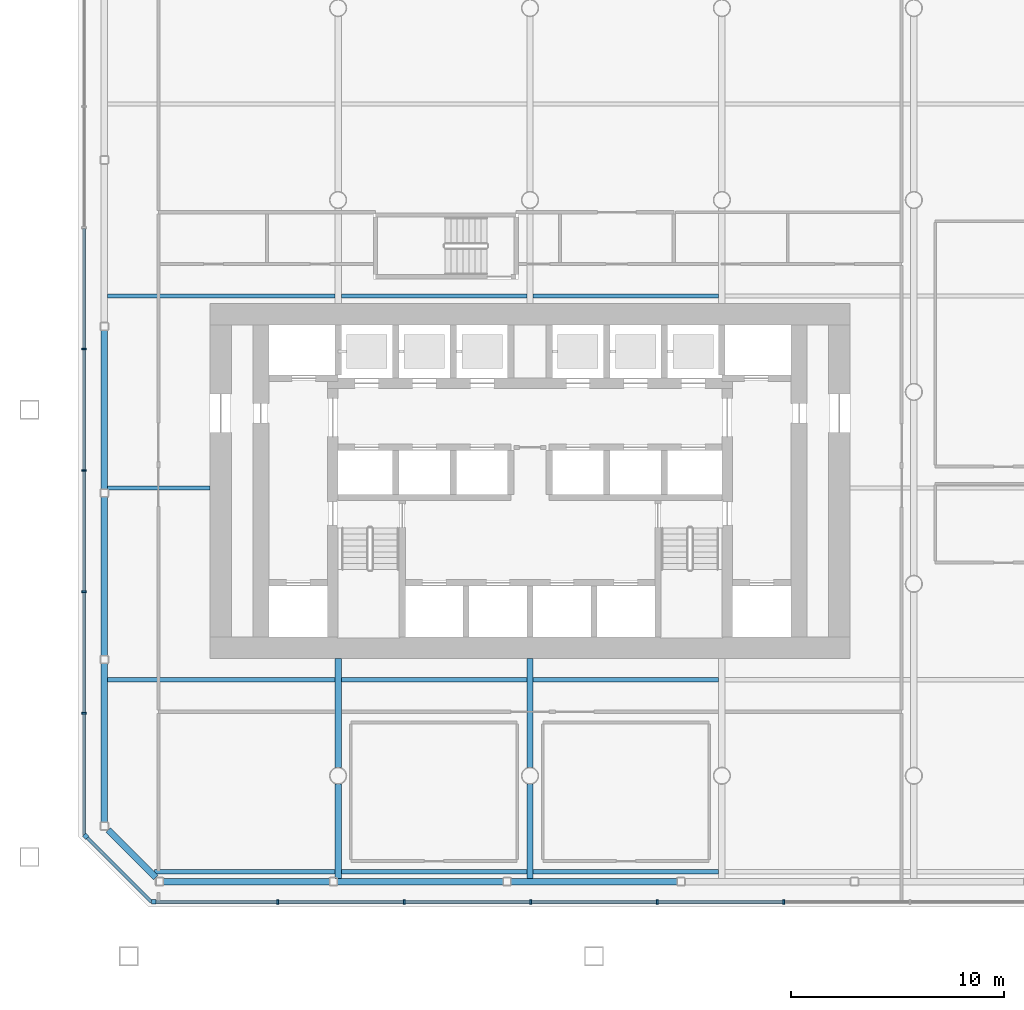
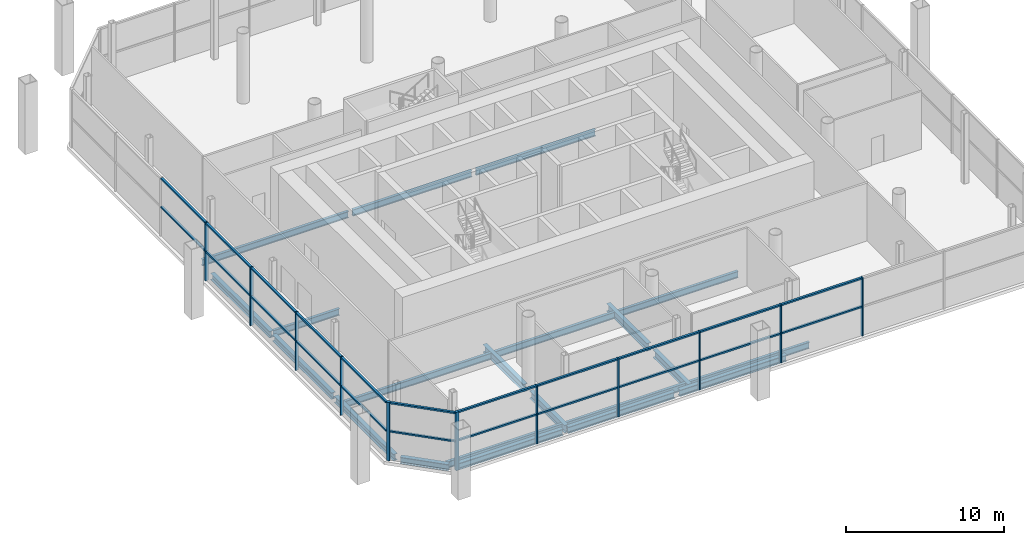
# One storey, part 3 of 13: 33 members, 21 beams, 3 elements without a shape of their own.
"""IFC4 building model written with IfcOpenShell, lengths in metres."""

from ifc_helpers import new_model, si_unit, direction, frame, origin, origin_2d, place, context, subcontext, project, spatial, rectangle, i_section, extrude, material, material_profile, profile_set, type_object, element, aggregate, save


model = new_model("IFC4")

# Units and contexts
model_context = context("Model", 3, precision=1e-05, world=origin(), true_north=direction((0.0, 1.0)))
body_context = subcontext(model_context, "Body", "Model", "MODEL_VIEW")
ifc_project = project(units=[si_unit("LENGTHUNIT", "METRE"), si_unit("AREAUNIT", "SQUARE_METRE"), si_unit("VOLUMEUNIT", "CUBIC_METRE"), si_unit("PLANEANGLEUNIT", "RADIAN"), si_unit("MASSUNIT", "GRAM", prefix="KILO")], contexts=[model_context])

# Site, building, storey
site_placement = place(None, origin())
site = spatial("IfcSite", under=ifc_project, at=site_placement, CompositionType="ELEMENT")
building_placement = place(site_placement, origin())
building = spatial("IfcBuilding", under=site, at=building_placement, Name="Tskaro Facet Tower", CompositionType="ELEMENT")
storey_placement = place(building_placement, frame((0.0, 0.0, 108.89990234375)))
storey = spatial("IfcBuildingStorey", under=building, at=storey_placement, Name="L26", CompositionType="ELEMENT", Elevation=108.89990234375)

# Curtain wall, member
ifc_material_1 = material(Name="Bronze anodised aluminium 6063-T6", Category="aluminium")
curtain_wall_type = type_object("IfcCurtainWallType", Name="Bronze sky lobby curtain wall (FW4)", PredefinedType="NOTDEFINED", material=ifc_material_1)
curtain_wall_1_placement = place(storey_placement, origin())
curtain_wall_1 = element("IfcCurtainWall", 1, at=curtain_wall_1_placement, inside=storey, type_object=curtain_wall_type, Name="FW4 south facet L26", PredefinedType="NOTDEFINED")
ifc_material_profile_1 = material_profile(ifc_material_1, rectangle(XDim=0.219970703125, YDim=0.219970703125, at=origin_2d()), Name="Corner post 220x220")
ifc_profile_set_1 = profile_set([ifc_material_profile_1], Name="Bronze anodised aluminium 6063-T6")
member_type_1 = type_object("IfcMemberType", Name="FW4 bronze corner post 220x220", PredefinedType="MULLION", material=ifc_profile_set_1)
member_1_placement = place(storey_placement, frame((-17.64697265625, -23.9150390625, 0.0), z_axis=(0.0, 0.0, 1.0), x_axis=(1.0, 0.0, 0.0)))
member_1 = element("IfcMember", 2, at=member_1_placement, type_object=member_type_1, Name="FW4 south corner post", PredefinedType="MULLION", context=body_context, shape_type="SweptSolid", body=[
    extrude(rectangle(XDim=0.219970703125, YDim=0.219970703125, at=origin_2d()), origin(), (0.0, 0.0, 1.0), 4.489990234375),
])

curtain_wall_2_placement = place(storey_placement, origin())
curtain_wall_2 = element("IfcCurtainWall", 3, at=curtain_wall_2_placement, inside=storey, type_object=curtain_wall_type, Name="FW4 south-west facet L26", PredefinedType="NOTDEFINED")
member_2_placement = place(storey_placement, frame((-20.837158203125, -20.834716796875, 0.0), z_axis=(0.0, 0.0, 1.0), x_axis=(0.707106781187, -0.707106781187, 0.0)))
member_2 = element("IfcMember", 4, at=member_2_placement, type_object=member_type_1, Name="FW4 south-west corner post", PredefinedType="MULLION", context=body_context, shape_type="SweptSolid", body=[
    extrude(rectangle(XDim=0.219970703125, YDim=0.219970703125, at=origin_2d()), origin(), (0.0, 0.0, 1.0), 4.489990234375),
])

# Member
ifc_material_profile_2 = material_profile(ifc_material_1, rectangle(XDim=0.080078125, YDim=0.219970703125, at=origin_2d()), Name="Mullion 80x220")
ifc_profile_set_2 = profile_set([ifc_material_profile_2], Name="Bronze anodised aluminium 6063-T6")
member_type_2 = type_object("IfcMemberType", Name="FW4 bronze mullion 80x220", PredefinedType="MULLION", material=ifc_profile_set_2)
member_3_placement = place(storey_placement, frame((-11.826416015625, -23.9150390625, 0.0), z_axis=(0.0, 0.0, 1.0), x_axis=(1.0, 0.0, 0.0)))
member_3 = element("IfcMember", 5, at=member_3_placement, type_object=member_type_2, Name="FW4 south mullion 1", PredefinedType="MULLION", context=body_context, shape_type="SweptSolid", body=[
    extrude(rectangle(XDim=0.080078125, YDim=0.219970703125, at=origin_2d()), origin(), (0.0, 0.0, 1.0), 4.489990234375),
])

member_4_placement = place(storey_placement, frame((-5.895751953125, -23.9150390625, 0.0), z_axis=(0.0, 0.0, 1.0), x_axis=(1.0, 0.0, 0.0)))
member_4 = element("IfcMember", 6, at=member_4_placement, type_object=member_type_2, Name="FW4 south mullion 2", PredefinedType="MULLION", context=body_context, shape_type="SweptSolid", body=[
    extrude(rectangle(XDim=0.080078125, YDim=0.219970703125, at=origin_2d()), origin(), (0.0, 0.0, 1.0), 4.489990234375),
])

member_5_placement = place(storey_placement, frame((0.03466796875, -23.9150390625, 0.0), z_axis=(0.0, 0.0, 1.0), x_axis=(1.0, 0.0, 0.0)))
member_5 = element("IfcMember", 7, at=member_5_placement, type_object=member_type_2, Name="FW4 south mullion 3", PredefinedType="MULLION", context=body_context, shape_type="SweptSolid", body=[
    extrude(rectangle(XDim=0.080078125, YDim=0.219970703125, at=origin_2d()), origin(), (0.0, 0.0, 1.0), 4.489990234375),
])

member_6_placement = place(storey_placement, frame((5.96533203125, -23.9150390625, 0.0), z_axis=(0.0, 0.0, 1.0), x_axis=(1.0, 0.0, 0.0)))
member_6 = element("IfcMember", 8, at=member_6_placement, type_object=member_type_2, Name="FW4 south mullion 4", PredefinedType="MULLION", context=body_context, shape_type="SweptSolid", body=[
    extrude(rectangle(XDim=0.080078125, YDim=0.219970703125, at=origin_2d()), origin(), (0.0, 0.0, 1.0), 4.489990234375),
])

member_7_placement = place(storey_placement, frame((11.895751953125, -23.9150390625, 0.0), z_axis=(0.0, 0.0, 1.0), x_axis=(1.0, 0.0, 0.0)))
member_7 = element("IfcMember", 9, at=member_7_placement, type_object=member_type_2, Name="FW4 south mullion 5", PredefinedType="MULLION", context=body_context, shape_type="SweptSolid", body=[
    extrude(rectangle(XDim=0.080078125, YDim=0.219970703125, at=origin_2d()), origin(), (0.0, 0.0, 1.0), 4.489990234375),
])

# Curtain wall, members
curtain_wall_3_placement = place(storey_placement, origin())
curtain_wall_3 = element("IfcCurtainWall", 10, at=curtain_wall_3_placement, inside=storey, type_object=curtain_wall_type, Name="FW4 west facet L26", PredefinedType="NOTDEFINED")
member_8_placement = place(storey_placement, frame((-20.9150390625, 2.0087890625, 0.0), z_axis=(0.0, 0.0, 1.0), x_axis=(0.0, -1.0, 0.0)))
member_8 = element("IfcMember", 11, at=member_8_placement, type_object=member_type_2, Name="FW4 west mullion 3", PredefinedType="MULLION", context=body_context, shape_type="SweptSolid", body=[
    extrude(rectangle(XDim=0.080078125, YDim=0.219970703125, at=origin_2d()), origin(), (0.0, 0.0, 1.0), 4.489990234375),
])
member_9_placement = place(storey_placement, frame((-20.9150390625, -3.6826171875, 0.0), z_axis=(0.0, 0.0, 1.0), x_axis=(0.0, -1.0, 0.0)))
member_9 = element("IfcMember", 12, at=member_9_placement, type_object=member_type_2, Name="FW4 west mullion 4", PredefinedType="MULLION", context=body_context, shape_type="SweptSolid", body=[
    extrude(rectangle(XDim=0.080078125, YDim=0.219970703125, at=origin_2d()), origin(), (0.0, 0.0, 1.0), 4.489990234375),
])
member_10_placement = place(storey_placement, frame((-20.9150390625, -9.3740234375, 0.0), z_axis=(0.0, 0.0, 1.0), x_axis=(0.0, -1.0, 0.0)))
member_10 = element("IfcMember", 13, at=member_10_placement, type_object=member_type_2, Name="FW4 west mullion 5", PredefinedType="MULLION", context=body_context, shape_type="SweptSolid", body=[
    extrude(rectangle(XDim=0.080078125, YDim=0.219970703125, at=origin_2d()), origin(), (0.0, 0.0, 1.0), 4.489990234375),
])
member_11_placement = place(storey_placement, frame((-20.9150390625, -15.065673828125, 0.0), z_axis=(0.0, 0.0, 1.0), x_axis=(0.0, -1.0, 0.0)))
member_11 = element("IfcMember", 14, at=member_11_placement, type_object=member_type_2, Name="FW4 west mullion 6", PredefinedType="MULLION", context=body_context, shape_type="SweptSolid", body=[
    extrude(rectangle(XDim=0.080078125, YDim=0.219970703125, at=origin_2d()), origin(), (0.0, 0.0, 1.0), 4.489990234375),
])

# Member
ifc_material_profile_3 = material_profile(ifc_material_1, rectangle(XDim=0.159912109375, YDim=0.1201171875, at=origin_2d()), Name="Transom 160x120")
ifc_profile_set_3 = profile_set([ifc_material_profile_3], Name="Bronze anodised aluminium 6063-T6")
member_type_3 = type_object("IfcMemberType", Name="FW4 bronze transom 160x120", PredefinedType="USERDEFINED", material=ifc_profile_set_3)
member_12_placement = place(storey_placement, frame((-17.537109375, -23.9150390625, 2.2451171875), z_axis=(1.0, 0.0, 0.0), x_axis=(0.0, 1.0, 0.0)))
member_12 = element("IfcMember", 15, at=member_12_placement, type_object=member_type_3, Name="FW4 south transom 1.1", ObjectType="TRANSOM", PredefinedType="USERDEFINED", context=body_context, shape_type="SweptSolid", body=[
    extrude(rectangle(XDim=0.159912109375, YDim=0.1201171875, at=origin_2d()), origin(), (0.0, 0.0, 1.0), 5.670654296875),
])

member_13_placement = place(storey_placement, frame((-17.537109375, -23.9150390625, 4.43017578125), z_axis=(1.0, 0.0, 0.0), x_axis=(0.0, 1.0, 0.0)))
member_13 = element("IfcMember", 16, at=member_13_placement, type_object=member_type_3, Name="FW4 south transom 1.2", ObjectType="TRANSOM", PredefinedType="USERDEFINED", context=body_context, shape_type="SweptSolid", body=[
    extrude(rectangle(XDim=0.159912109375, YDim=0.1201171875, at=origin_2d()), origin(), (0.0, 0.0, 1.0), 5.670654296875),
])

member_14_placement = place(storey_placement, frame((-11.786376953125, -23.9150390625, 2.2451171875), z_axis=(1.0, 0.0, 0.0), x_axis=(0.0, 1.0, 0.0)))
member_14 = element("IfcMember", 17, at=member_14_placement, type_object=member_type_3, Name="FW4 south transom 2.1", ObjectType="TRANSOM", PredefinedType="USERDEFINED", context=body_context, shape_type="SweptSolid", body=[
    extrude(rectangle(XDim=0.159912109375, YDim=0.1201171875, at=origin_2d()), origin(), (0.0, 0.0, 1.0), 5.8505859375),
])

member_15_placement = place(storey_placement, frame((-11.786376953125, -23.9150390625, 4.43017578125), z_axis=(1.0, 0.0, 0.0), x_axis=(0.0, 1.0, 0.0)))
member_15 = element("IfcMember", 18, at=member_15_placement, type_object=member_type_3, Name="FW4 south transom 2.2", ObjectType="TRANSOM", PredefinedType="USERDEFINED", context=body_context, shape_type="SweptSolid", body=[
    extrude(rectangle(XDim=0.159912109375, YDim=0.1201171875, at=origin_2d()), origin(), (0.0, 0.0, 1.0), 5.8505859375),
])

member_16_placement = place(storey_placement, frame((-5.85595703125, -23.9150390625, 2.2451171875), z_axis=(1.0, 0.0, 0.0), x_axis=(0.0, 1.0, 0.0)))
member_16 = element("IfcMember", 19, at=member_16_placement, type_object=member_type_3, Name="FW4 south transom 3.1", ObjectType="TRANSOM", PredefinedType="USERDEFINED", context=body_context, shape_type="SweptSolid", body=[
    extrude(rectangle(XDim=0.159912109375, YDim=0.1201171875, at=origin_2d()), origin(), (0.0, 0.0, 1.0), 5.8505859375),
])

member_17_placement = place(storey_placement, frame((-5.85595703125, -23.9150390625, 4.43017578125), z_axis=(1.0, 0.0, 0.0), x_axis=(0.0, 1.0, 0.0)))
member_17 = element("IfcMember", 20, at=member_17_placement, type_object=member_type_3, Name="FW4 south transom 3.2", ObjectType="TRANSOM", PredefinedType="USERDEFINED", context=body_context, shape_type="SweptSolid", body=[
    extrude(rectangle(XDim=0.159912109375, YDim=0.1201171875, at=origin_2d()), origin(), (0.0, 0.0, 1.0), 5.8505859375),
])

member_18_placement = place(storey_placement, frame((0.07470703125, -23.9150390625, 2.2451171875), z_axis=(1.0, 0.0, 0.0), x_axis=(0.0, 1.0, 0.0)))
member_18 = element("IfcMember", 21, at=member_18_placement, type_object=member_type_3, Name="FW4 south transom 4.1", ObjectType="TRANSOM", PredefinedType="USERDEFINED", context=body_context, shape_type="SweptSolid", body=[
    extrude(rectangle(XDim=0.159912109375, YDim=0.1201171875, at=origin_2d()), origin(), (0.0, 0.0, 1.0), 5.8505859375),
])

member_19_placement = place(storey_placement, frame((0.07470703125, -23.9150390625, 4.43017578125), z_axis=(1.0, 0.0, 0.0), x_axis=(0.0, 1.0, 0.0)))
member_19 = element("IfcMember", 22, at=member_19_placement, type_object=member_type_3, Name="FW4 south transom 4.2", ObjectType="TRANSOM", PredefinedType="USERDEFINED", context=body_context, shape_type="SweptSolid", body=[
    extrude(rectangle(XDim=0.159912109375, YDim=0.1201171875, at=origin_2d()), origin(), (0.0, 0.0, 1.0), 5.8505859375),
])

member_20_placement = place(storey_placement, frame((6.00537109375, -23.9150390625, 2.2451171875), z_axis=(1.0, 0.0, 0.0), x_axis=(0.0, 1.0, 0.0)))
member_20 = element("IfcMember", 23, at=member_20_placement, type_object=member_type_3, Name="FW4 south transom 5.1", ObjectType="TRANSOM", PredefinedType="USERDEFINED", context=body_context, shape_type="SweptSolid", body=[
    extrude(rectangle(XDim=0.159912109375, YDim=0.1201171875, at=origin_2d()), origin(), (0.0, 0.0, 1.0), 5.8505859375),
])

member_21_placement = place(storey_placement, frame((6.00537109375, -23.9150390625, 4.43017578125), z_axis=(1.0, 0.0, 0.0), x_axis=(0.0, 1.0, 0.0)))
member_21 = element("IfcMember", 24, at=member_21_placement, type_object=member_type_3, Name="FW4 south transom 5.2", ObjectType="TRANSOM", PredefinedType="USERDEFINED", context=body_context, shape_type="SweptSolid", body=[
    extrude(rectangle(XDim=0.159912109375, YDim=0.1201171875, at=origin_2d()), origin(), (0.0, 0.0, 1.0), 5.8505859375),
])

aggregate(curtain_wall_1, [member_1, member_3, member_4, member_5, member_6, member_7, member_12, member_13, member_14, member_15, member_16, member_17, member_18, member_19, member_20, member_21])

member_22_placement = place(storey_placement, frame((-20.9150390625, 7.66015625, 2.2451171875), z_axis=(0.0, -1.0, 0.0), x_axis=(1.0, 0.0, 0.0)))
member_22 = element("IfcMember", 25, at=member_22_placement, type_object=member_type_3, Name="FW4 west transom 3.1", ObjectType="TRANSOM", PredefinedType="USERDEFINED", context=body_context, shape_type="SweptSolid", body=[
    extrude(rectangle(XDim=0.159912109375, YDim=0.1201171875, at=origin_2d()), origin(), (0.0, 0.0, 1.0), 5.611328125),
])

member_23_placement = place(storey_placement, frame((-20.9150390625, 7.66015625, 4.43017578125), z_axis=(0.0, -1.0, 0.0), x_axis=(1.0, 0.0, 0.0)))
member_23 = element("IfcMember", 26, at=member_23_placement, type_object=member_type_3, Name="FW4 west transom 3.2", ObjectType="TRANSOM", PredefinedType="USERDEFINED", context=body_context, shape_type="SweptSolid", body=[
    extrude(rectangle(XDim=0.159912109375, YDim=0.1201171875, at=origin_2d()), origin(), (0.0, 0.0, 1.0), 5.611328125),
])

member_24_placement = place(storey_placement, frame((-20.9150390625, 1.96875, 2.2451171875), z_axis=(0.0, -1.0, 0.0), x_axis=(1.0, 0.0, 0.0)))
member_24 = element("IfcMember", 27, at=member_24_placement, type_object=member_type_3, Name="FW4 west transom 4.1", ObjectType="TRANSOM", PredefinedType="USERDEFINED", context=body_context, shape_type="SweptSolid", body=[
    extrude(rectangle(XDim=0.159912109375, YDim=0.1201171875, at=origin_2d()), origin(), (0.0, 0.0, 1.0), 5.611572265625),
])

member_25_placement = place(storey_placement, frame((-20.9150390625, 1.96875, 4.43017578125), z_axis=(0.0, -1.0, 0.0), x_axis=(1.0, 0.0, 0.0)))
member_25 = element("IfcMember", 28, at=member_25_placement, type_object=member_type_3, Name="FW4 west transom 4.2", ObjectType="TRANSOM", PredefinedType="USERDEFINED", context=body_context, shape_type="SweptSolid", body=[
    extrude(rectangle(XDim=0.159912109375, YDim=0.1201171875, at=origin_2d()), origin(), (0.0, 0.0, 1.0), 5.611572265625),
])

member_26_placement = place(storey_placement, frame((-20.9150390625, -3.72265625, 2.2451171875), z_axis=(0.0, -1.0, 0.0), x_axis=(1.0, 0.0, 0.0)))
member_26 = element("IfcMember", 29, at=member_26_placement, type_object=member_type_3, Name="FW4 west transom 5.1", ObjectType="TRANSOM", PredefinedType="USERDEFINED", context=body_context, shape_type="SweptSolid", body=[
    extrude(rectangle(XDim=0.159912109375, YDim=0.1201171875, at=origin_2d()), origin(), (0.0, 0.0, 1.0), 5.611572265625),
])

member_27_placement = place(storey_placement, frame((-20.9150390625, -3.72265625, 4.43017578125), z_axis=(0.0, -1.0, 0.0), x_axis=(1.0, 0.0, 0.0)))
member_27 = element("IfcMember", 30, at=member_27_placement, type_object=member_type_3, Name="FW4 west transom 5.2", ObjectType="TRANSOM", PredefinedType="USERDEFINED", context=body_context, shape_type="SweptSolid", body=[
    extrude(rectangle(XDim=0.159912109375, YDim=0.1201171875, at=origin_2d()), origin(), (0.0, 0.0, 1.0), 5.611572265625),
])

member_28_placement = place(storey_placement, frame((-20.9150390625, -9.4140625, 2.2451171875), z_axis=(0.0, -1.0, 0.0), x_axis=(1.0, 0.0, 0.0)))
member_28 = element("IfcMember", 31, at=member_28_placement, type_object=member_type_3, Name="FW4 west transom 6.1", ObjectType="TRANSOM", PredefinedType="USERDEFINED", context=body_context, shape_type="SweptSolid", body=[
    extrude(rectangle(XDim=0.159912109375, YDim=0.1201171875, at=origin_2d()), origin(), (0.0, 0.0, 1.0), 5.611572265625),
])

member_29_placement = place(storey_placement, frame((-20.9150390625, -9.4140625, 4.43017578125), z_axis=(0.0, -1.0, 0.0), x_axis=(1.0, 0.0, 0.0)))
member_29 = element("IfcMember", 32, at=member_29_placement, type_object=member_type_3, Name="FW4 west transom 6.2", ObjectType="TRANSOM", PredefinedType="USERDEFINED", context=body_context, shape_type="SweptSolid", body=[
    extrude(rectangle(XDim=0.159912109375, YDim=0.1201171875, at=origin_2d()), origin(), (0.0, 0.0, 1.0), 5.611572265625),
])

member_30_placement = place(storey_placement, frame((-20.9150390625, -15.10546875, 2.2451171875), z_axis=(0.0, -1.0, 0.0), x_axis=(1.0, 0.0, 0.0)))
member_30 = element("IfcMember", 33, at=member_30_placement, type_object=member_type_3, Name="FW4 west transom 7.1", ObjectType="TRANSOM", PredefinedType="USERDEFINED", context=body_context, shape_type="SweptSolid", body=[
    extrude(rectangle(XDim=0.159912109375, YDim=0.1201171875, at=origin_2d()), origin(), (0.0, 0.0, 1.0), 5.651611328125),
])

member_31_placement = place(storey_placement, frame((-20.9150390625, -15.10546875, 4.43017578125), z_axis=(0.0, -1.0, 0.0), x_axis=(1.0, 0.0, 0.0)))
member_31 = element("IfcMember", 34, at=member_31_placement, type_object=member_type_3, Name="FW4 west transom 7.2", ObjectType="TRANSOM", PredefinedType="USERDEFINED", context=body_context, shape_type="SweptSolid", body=[
    extrude(rectangle(XDim=0.159912109375, YDim=0.1201171875, at=origin_2d()), origin(), (0.0, 0.0, 1.0), 5.651611328125),
])

aggregate(curtain_wall_3, [member_8, member_9, member_10, member_11, member_22, member_23, member_24, member_25, member_26, member_27, member_28, member_29, member_30, member_31])

member_32_placement = place(storey_placement, frame((-20.759521484375, -20.91259765625, 2.2451171875), z_axis=(0.707106781187, -0.707106781187, 0.0), x_axis=(0.707106781187, 0.707106781187, 0.0)))
member_32 = element("IfcMember", 35, at=member_32_placement, type_object=member_type_3, Name="FW4 south-west transom 1.1", ObjectType="TRANSOM", PredefinedType="USERDEFINED", context=body_context, shape_type="SweptSolid", body=[
    extrude(rectangle(XDim=0.159912109375, YDim=0.1201171875, at=origin_2d()), origin(), (0.0, 0.0, 1.0), 4.24609375),
])

member_33_placement = place(storey_placement, frame((-20.759521484375, -20.91259765625, 4.43017578125), z_axis=(0.707106781187, -0.707106781187, 0.0), x_axis=(0.707106781187, 0.707106781187, 0.0)))
member_33 = element("IfcMember", 36, at=member_33_placement, type_object=member_type_3, Name="FW4 south-west transom 1.2", ObjectType="TRANSOM", PredefinedType="USERDEFINED", context=body_context, shape_type="SweptSolid", body=[
    extrude(rectangle(XDim=0.159912109375, YDim=0.1201171875, at=origin_2d()), origin(), (0.0, 0.0, 1.0), 4.24609375),
])

aggregate(curtain_wall_2, [member_2, member_32, member_33])

# Beams
ifc_material_2 = material(Name="Steel S355J2", Category="steel")
ifc_material_profile_4 = material_profile(ifc_material_2, i_section(OverallWidth=0.300048828125, OverallDepth=0.5, WebThickness=0.014404296875, FlangeThickness=0.028076171875, FilletRadius=0.027099609375, at=origin_2d()), Name="HE 500 B")
ifc_profile_set_4 = profile_set([ifc_material_profile_4], Name="Steel S355J2")
beam_type_1 = type_object("IfcBeamType", Name="HE 500 B ring beam", PredefinedType="BEAM", material=ifc_profile_set_4)
beam_1_placement = place(storey_placement, frame((-17.18408203125, -22.965087890625, -0.5), z_axis=(1.0, 0.0, 0.0), x_axis=(0.0, 1.0, 0.0)))
element("IfcBeam", 37, at=beam_1_placement, inside=storey, type_object=beam_type_1, Name="HE 500 B EB1-2", PredefinedType="BEAM", context=body_context, shape_type="SweptSolid", body=[
    extrude(i_section(OverallWidth=0.300048828125, OverallDepth=0.5, WebThickness=0.014404296875, FlangeThickness=0.028076171875, FilletRadius=0.027099609375, at=origin_2d()), origin(), (0.0, 0.0, 1.0), 7.7861328125),
])
beam_2_placement = place(storey_placement, frame((-9.0380859375, -22.965087890625, -0.5), z_axis=(1.0, 0.0, 0.0), x_axis=(0.0, 1.0, 0.0)))
element("IfcBeam", 38, at=beam_2_placement, inside=storey, type_object=beam_type_1, Name="HE 500 B EB2-2", PredefinedType="BEAM", context=body_context, shape_type="SweptSolid", body=[
    extrude(i_section(OverallWidth=0.300048828125, OverallDepth=0.5, WebThickness=0.014404296875, FlangeThickness=0.028076171875, FilletRadius=0.027099609375, at=origin_2d()), origin(), (0.0, 0.0, 1.0), 7.78515625),
])
beam_3_placement = place(storey_placement, frame((-0.89306640625, -22.965087890625, -0.5), z_axis=(1.0, 0.0, 0.0), x_axis=(0.0, 1.0, 0.0)))
element("IfcBeam", 39, at=beam_3_placement, inside=storey, type_object=beam_type_1, Name="HE 500 B EB3-2", PredefinedType="BEAM", context=body_context, shape_type="SweptSolid", body=[
    extrude(i_section(OverallWidth=0.300048828125, OverallDepth=0.5, WebThickness=0.014404296875, FlangeThickness=0.028076171875, FilletRadius=0.027099609375, at=origin_2d()), origin(), (0.0, 0.0, 1.0), 7.7861328125),
])
beam_4_placement = place(storey_placement, frame((-19.965087890625, 2.887939453125, -0.5), z_axis=(0.0, -1.0, 0.0), x_axis=(1.0, 0.0, 0.0)))
element("IfcBeam", 40, at=beam_4_placement, inside=storey, type_object=beam_type_1, Name="HE 500 B EB21-2", PredefinedType="BEAM", context=body_context, shape_type="SweptSolid", body=[
    extrude(i_section(OverallWidth=0.300048828125, OverallDepth=0.5, WebThickness=0.014404296875, FlangeThickness=0.028076171875, FilletRadius=0.027099609375, at=origin_2d()), origin(), (0.0, 0.0, 1.0), 7.449951171875),
])
beam_5_placement = place(storey_placement, frame((-19.965087890625, -4.922119140625, -0.5), z_axis=(0.0, -1.0, 0.0), x_axis=(1.0, 0.0, 0.0)))
element("IfcBeam", 41, at=beam_5_placement, inside=storey, type_object=beam_type_1, Name="HE 500 B EB22-2", PredefinedType="BEAM", context=body_context, shape_type="SweptSolid", body=[
    extrude(i_section(OverallWidth=0.300048828125, OverallDepth=0.5, WebThickness=0.014404296875, FlangeThickness=0.028076171875, FilletRadius=0.027099609375, at=origin_2d()), origin(), (0.0, 0.0, 1.0), 7.450927734375),
])
beam_6_placement = place(storey_placement, frame((-19.965087890625, -12.73291015625, -0.5), z_axis=(0.0, -1.0, 0.0), x_axis=(1.0, 0.0, 0.0)))
element("IfcBeam", 42, at=beam_6_placement, inside=storey, type_object=beam_type_1, Name="HE 500 B EB23-2", PredefinedType="BEAM", context=body_context, shape_type="SweptSolid", body=[
    extrude(i_section(OverallWidth=0.300048828125, OverallDepth=0.5, WebThickness=0.014404296875, FlangeThickness=0.028076171875, FilletRadius=0.027099609375, at=origin_2d()), origin(), (0.0, 0.0, 1.0), 7.451171875),
])
beam_7_placement = place(storey_placement, frame((-19.779052734375, -20.5498046875, -0.5), z_axis=(0.707106781187, -0.707106781187, 0.0), x_axis=(0.707106781187, 0.707106781187, 0.0)))
element("IfcBeam", 43, at=beam_7_placement, inside=storey, type_object=beam_type_1, Name="HE 500 B EB24-2", PredefinedType="BEAM", context=body_context, shape_type="SweptSolid", body=[
    extrude(i_section(OverallWidth=0.300048828125, OverallDepth=0.5, WebThickness=0.014404296875, FlangeThickness=0.028076171875, FilletRadius=0.027099609375, at=origin_2d()), origin(), (0.0, 0.0, 1.0), 3.152587890625),
])
ifc_material_profile_5 = material_profile(ifc_material_2, i_section(OverallWidth=0.300048828125, OverallDepth=0.590087890625, WebThickness=0.012939453125, FlangeThickness=0.02490234375, FilletRadius=0.027099609375, at=origin_2d()), Name="HE 600 A")
ifc_profile_set_5 = profile_set([ifc_material_profile_5], Name="Steel S355J2")
beam_type_2 = type_object("IfcBeamType", Name="HE 600 A girder", PredefinedType="BEAM", material=ifc_profile_set_5)
beam_8_placement = place(storey_placement, frame((-9.0, -22.81494140625, -0.544921875), z_axis=(0.0, 1.0, 0.0), x_axis=(-1.0, 0.0, 0.0)))
element("IfcBeam", 44, at=beam_8_placement, inside=storey, type_object=beam_type_2, Name="HE 600 A GB3-1-2", PredefinedType="BEAM", context=body_context, shape_type="SweptSolid", body=[
    extrude(i_section(OverallWidth=0.300048828125, OverallDepth=0.590087890625, WebThickness=0.012939453125, FlangeThickness=0.02490234375, FilletRadius=0.027099609375, at=origin_2d()), origin(), (0.0, 0.0, 1.0), 4.4384765625),
])
beam_9_placement = place(storey_placement, frame((-9.0, -17.62353515625, -0.544921875), z_axis=(0.0, 1.0, 0.0), x_axis=(-1.0, 0.0, 0.0)))
element("IfcBeam", 45, at=beam_9_placement, inside=storey, type_object=beam_type_2, Name="HE 600 A GB3-2-2", PredefinedType="BEAM", context=body_context, shape_type="SweptSolid", body=[
    extrude(i_section(OverallWidth=0.300048828125, OverallDepth=0.590087890625, WebThickness=0.012939453125, FlangeThickness=0.02490234375, FilletRadius=0.027099609375, at=origin_2d()), origin(), (0.0, 0.0, 1.0), 5.12353515625),
])
beam_10_placement = place(storey_placement, frame((0.0, -22.81494140625, -0.544921875), z_axis=(0.0, 1.0, 0.0), x_axis=(-1.0, 0.0, 0.0)))
element("IfcBeam", 46, at=beam_10_placement, inside=storey, type_object=beam_type_2, Name="HE 600 A GB4-1-2", PredefinedType="BEAM", context=body_context, shape_type="SweptSolid", body=[
    extrude(i_section(OverallWidth=0.300048828125, OverallDepth=0.590087890625, WebThickness=0.012939453125, FlangeThickness=0.02490234375, FilletRadius=0.027099609375, at=origin_2d()), origin(), (0.0, 0.0, 1.0), 4.4384765625),
])
beam_11_placement = place(storey_placement, frame((0.0, -17.62353515625, -0.544921875), z_axis=(0.0, 1.0, 0.0), x_axis=(-1.0, 0.0, 0.0)))
element("IfcBeam", 47, at=beam_11_placement, inside=storey, type_object=beam_type_2, Name="HE 600 A GB4-2-2", PredefinedType="BEAM", context=body_context, shape_type="SweptSolid", body=[
    extrude(i_section(OverallWidth=0.300048828125, OverallDepth=0.590087890625, WebThickness=0.012939453125, FlangeThickness=0.02490234375, FilletRadius=0.027099609375, at=origin_2d()), origin(), (0.0, 0.0, 1.0), 5.12353515625),
])
ifc_material_profile_6 = material_profile(ifc_material_2, i_section(OverallWidth=0.199951171875, OverallDepth=0.5, WebThickness=0.01025390625, FlangeThickness=0.01611328125, FilletRadius=0.02099609375, at=origin_2d()), Name="IPE 500")
ifc_profile_set_6 = profile_set([ifc_material_profile_6], Name="Steel S355J2")
beam_type_3 = type_object("IfcBeamType", Name="IPE 500 secondary beam", PredefinedType="BEAM", material=ifc_profile_set_6)
beam_12_placement = place(storey_placement, frame((-17.616943359375, -22.5, -0.5), z_axis=(1.0, 0.0, 0.0), x_axis=(0.0, 1.0, 0.0)))
element("IfcBeam", 48, at=beam_12_placement, inside=storey, type_object=beam_type_3, Name="IPE 500 SB1a-1-2", PredefinedType="BEAM", context=body_context, shape_type="SweptSolid", body=[
    extrude(i_section(OverallWidth=0.199951171875, OverallDepth=0.5, WebThickness=0.01025390625, FlangeThickness=0.01611328125, FilletRadius=0.02099609375, at=origin_2d()), origin(), (0.0, 0.0, 1.0), 8.467041015625),
])
for number, where, z_axis, x_axis, name in (
    (49, (-8.85009765625, -22.5, -0.5), (1.0, 0.0, 0.0), (0.0, 1.0, 0.0), "IPE 500 SB1a-2-2"),
    (50, (0.14990234375, -22.5, -0.5), (1.0, 0.0, 0.0), (0.0, 1.0, 0.0), "IPE 500 SB1a-3-2"),
):
    element("IfcBeam", number, at=place(storey_placement, frame(where, z_axis=z_axis, x_axis=x_axis)), inside=storey, type_object=beam_type_3, Name=name, PredefinedType="BEAM", context=body_context, shape_type="SweptSolid", body=[
        extrude(i_section(OverallWidth=0.199951171875, OverallDepth=0.5, WebThickness=0.01025390625, FlangeThickness=0.01611328125, FilletRadius=0.02099609375, at=origin_2d()), origin(), (0.0, 0.0, 1.0), 8.7001953125),
    ])
beam_13_placement = place(storey_placement, frame((-19.81494140625, -13.5, -0.5), z_axis=(1.0, 0.0, 0.0), x_axis=(0.0, 1.0, 0.0)))
element("IfcBeam", 51, at=beam_13_placement, inside=storey, type_object=beam_type_3, Name="IPE 500 SB2a-1-2", PredefinedType="BEAM", context=body_context, shape_type="SweptSolid", body=[
    extrude(i_section(OverallWidth=0.199951171875, OverallDepth=0.5, WebThickness=0.01025390625, FlangeThickness=0.01611328125, FilletRadius=0.02099609375, at=origin_2d()), origin(), (0.0, 0.0, 1.0), 10.6650390625),
])
for number, where, z_axis, x_axis, name in (
    (52, (-8.85009765625, -13.5, -0.5), (1.0, 0.0, 0.0), (0.0, 1.0, 0.0), "IPE 500 SB2a-2-2"),
    (53, (0.14990234375, -13.5, -0.5), (1.0, 0.0, 0.0), (0.0, 1.0, 0.0), "IPE 500 SB2a-3-2"),
):
    element("IfcBeam", number, at=place(storey_placement, frame(where, z_axis=z_axis, x_axis=x_axis)), inside=storey, type_object=beam_type_3, Name=name, PredefinedType="BEAM", context=body_context, shape_type="SweptSolid", body=[
        extrude(i_section(OverallWidth=0.199951171875, OverallDepth=0.5, WebThickness=0.01025390625, FlangeThickness=0.01611328125, FilletRadius=0.02099609375, at=origin_2d()), origin(), (0.0, 0.0, 1.0), 8.7001953125),
    ])
beam_14_placement = place(storey_placement, frame((-19.81494140625, -4.5, -0.5), z_axis=(1.0, 0.0, 0.0), x_axis=(0.0, 1.0, 0.0)))
element("IfcBeam", 54, at=beam_14_placement, inside=storey, type_object=beam_type_3, Name="IPE 500 SB3a-1-2", PredefinedType="BEAM", context=body_context, shape_type="SweptSolid", body=[
    extrude(i_section(OverallWidth=0.199951171875, OverallDepth=0.5, WebThickness=0.01025390625, FlangeThickness=0.01611328125, FilletRadius=0.02099609375, at=origin_2d()), origin(), (0.0, 0.0, 1.0), 4.81494140625),
])
beam_15_placement = place(storey_placement, frame((-19.81494140625, 4.5, -0.5), z_axis=(1.0, 0.0, 0.0), x_axis=(0.0, 1.0, 0.0)))
element("IfcBeam", 55, at=beam_15_placement, inside=storey, type_object=beam_type_3, Name="IPE 500 SB4a-1-2", PredefinedType="BEAM", context=body_context, shape_type="SweptSolid", body=[
    extrude(i_section(OverallWidth=0.199951171875, OverallDepth=0.5, WebThickness=0.01025390625, FlangeThickness=0.01611328125, FilletRadius=0.02099609375, at=origin_2d()), origin(), (0.0, 0.0, 1.0), 10.6650390625),
])
for number, where, z_axis, x_axis, name in (
    (56, (-8.85009765625, 4.5, -0.5), (1.0, 0.0, 0.0), (0.0, 1.0, 0.0), "IPE 500 SB4a-2-2"),
    (57, (0.14990234375, 4.5, -0.5), (1.0, 0.0, 0.0), (0.0, 1.0, 0.0), "IPE 500 SB4a-3-2"),
):
    element("IfcBeam", number, at=place(storey_placement, frame(where, z_axis=z_axis, x_axis=x_axis)), inside=storey, type_object=beam_type_3, Name=name, PredefinedType="BEAM", context=body_context, shape_type="SweptSolid", body=[
        extrude(i_section(OverallWidth=0.199951171875, OverallDepth=0.5, WebThickness=0.01025390625, FlangeThickness=0.01611328125, FilletRadius=0.02099609375, at=origin_2d()), origin(), (0.0, 0.0, 1.0), 8.7001953125),
    ])

save(model, "model.ifc")
